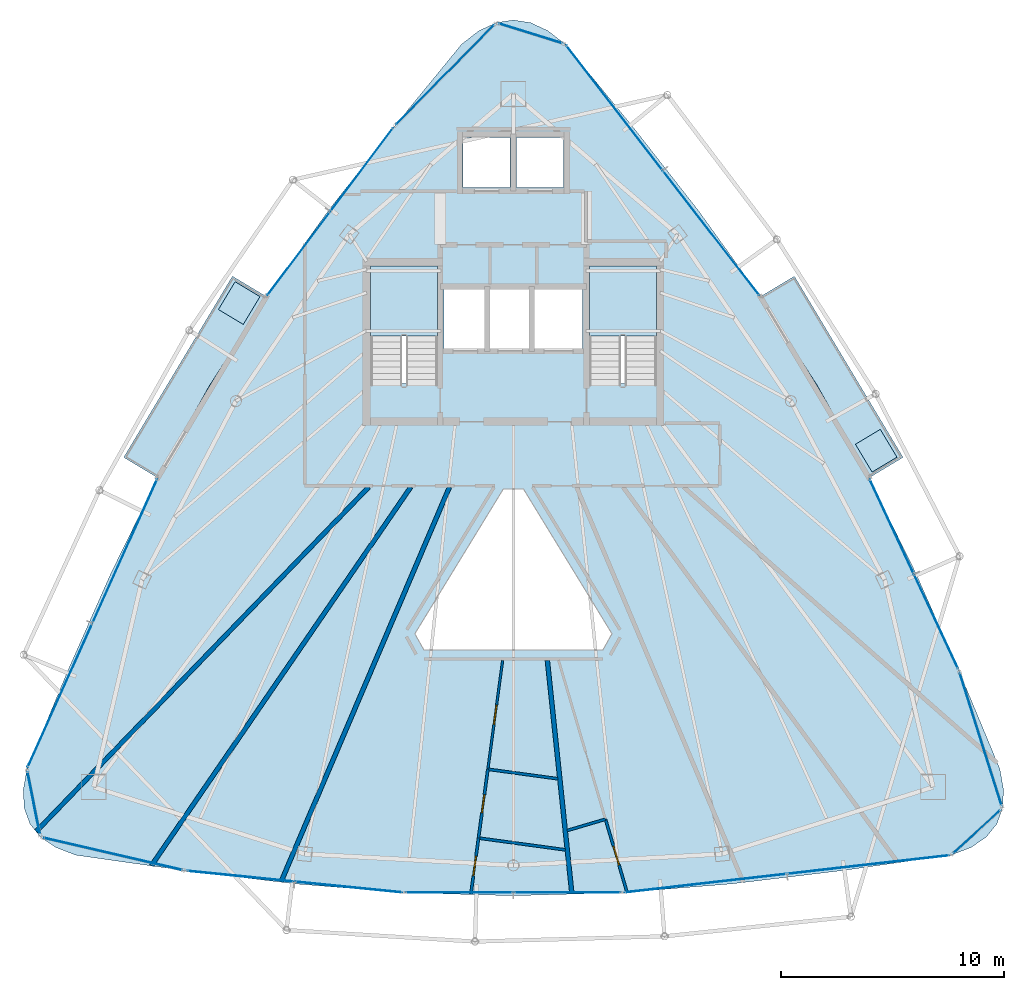
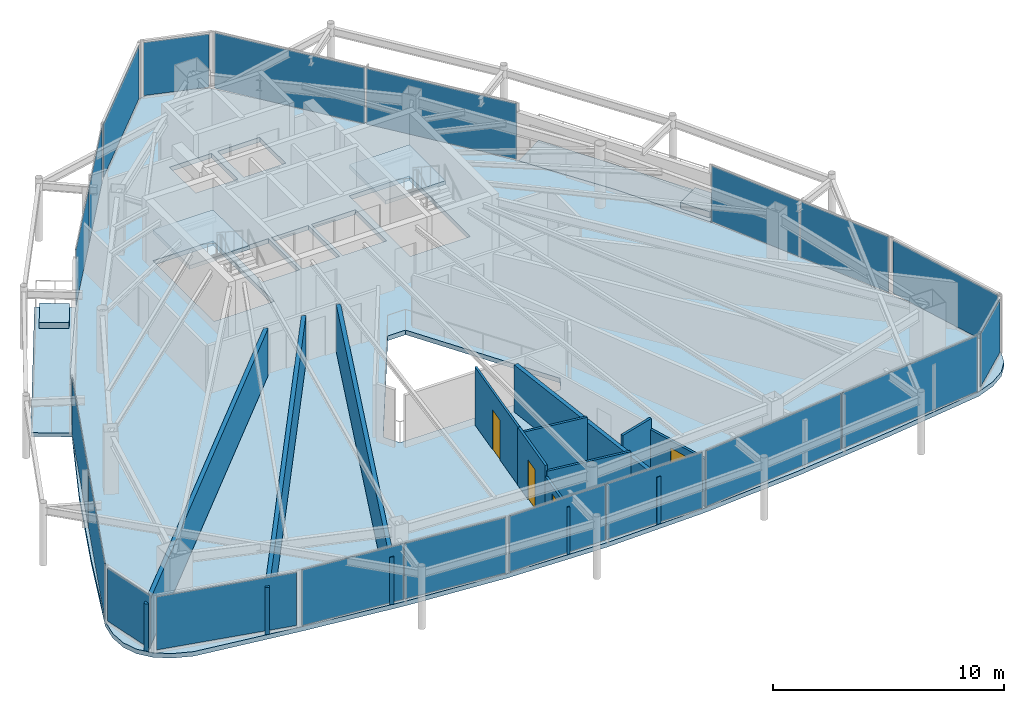
# One storey, part 24 of 28: 20 plates, 11 walls, 7 slabs, 4 doors, 4 openings, 15 elements without a shape of their own.
"""IFC4 building model written with IfcOpenShell, lengths in metres."""

import ifcopenshell
import ifcopenshell.guid

model = None  # the IFC model being written
_history = None  # IfcOwnerHistory: only IFC2X3 demands one
_inside = {}  # id of a spatial element -> (the spatial element, [elements in it])
_under = {}  # id of a project, library or spatial element -> (it, [spatial elements below it])
_declared = {}  # id of a project -> (the project, [libraries it declares])
_typed = {}  # id of a type object -> (the type object, [elements of that type])
_made_of = {}  # id of a material, layer set ... -> (it, [elements and type objects made of it])


def new_model(schema):
    """Start an empty IFC model of exactly this schema.

    Asked for "IFC4X3", IfcOpenShell would pick the latest addendum, in which some entities
    have other attributes; the version numbers below select the first issue.
    IFC2X3 requires an IfcOwnerHistory on every rooted entity: one is made here for all.
    """
    global model, _history
    if schema == "IFC4X3":
        model = ifcopenshell.file(schema_version=(4, 3, 0, 0))
    else:
        model = ifcopenshell.file(schema=schema)
    _inside.clear()
    _under.clear()
    _declared.clear()
    _typed.clear()
    _made_of.clear()
    _history = None
    if model.schema == "IFC2X3":
        org = make("IfcOrganization", Name="unknown")
        user = make(
            "IfcPersonAndOrganization",
            ThePerson=make("IfcPerson", FamilyName="unknown"),
            TheOrganization=org,
        )
        app = make(
            "IfcApplication",
            ApplicationDeveloper=org,
            Version="unknown",
            ApplicationFullName="unknown",
            ApplicationIdentifier="unknown",
        )
        _history = make(
            "IfcOwnerHistory",
            OwningUser=user,
            OwningApplication=app,
            ChangeAction="ADDED",
            CreationDate=0,
        )
    return model


def make(cls, **values):
    """One entity of the class cls with the attributes given. An attribute that is None is left unset."""
    return model.create_entity(
        cls, **{name: value for name, value in values.items() if value is not None}
    )


def rooted(cls, **values):
    """An entity with a GlobalId (a new one), such as an element, a storey or a relation."""
    return make(cls, GlobalId=ifcopenshell.guid.new(), OwnerHistory=_history, **values)


def si_unit(unit_type, name, prefix=None):
    """IfcSIUnit, for example si_unit("LENGTHUNIT", "METRE", prefix="MILLI")."""
    return make("IfcSIUnit", UnitType=unit_type, Prefix=prefix, Name=name)


def assignment(units):
    """IfcUnitAssignment: the units of a project."""
    return None if units is None else make("IfcUnitAssignment", Units=units)


def point(xyz):
    """IfcCartesianPoint."""
    return None if xyz is None else make("IfcCartesianPoint", Coordinates=xyz)


def direction(xyz):
    """IfcDirection."""
    return None if xyz is None else make("IfcDirection", DirectionRatios=xyz)


def frame(location, z_axis=None, x_axis=None):
    """IfcAxis2Placement3D, a coordinate frame: its origin and axes. An axis left out is left unset."""
    return make(
        "IfcAxis2Placement3D",
        Location=point(location),
        Axis=direction(z_axis),
        RefDirection=direction(x_axis),
    )


def frame_2d(location, x_axis=None):
    """IfcAxis2Placement2D, a coordinate frame in the plane: its origin and x axis."""
    return make(
        "IfcAxis2Placement2D", Location=point(location), RefDirection=direction(x_axis)
    )


def origin():
    """The frame at (0, 0, 0) with its axes left unset."""
    return frame((0.0, 0.0, 0.0))


def origin_2d():
    """The frame at (0, 0) in the plane with its x axis left unset."""
    return frame_2d((0.0, 0.0))


def place(relative_to, where):
    """IfcLocalPlacement: puts the frame where relative to a parent placement (None: the world)."""
    return make(
        "IfcLocalPlacement", PlacementRelTo=relative_to, RelativePlacement=where
    )


def context(
    kind, dimensions, precision=None, world=None, true_north=None, identifier=None
):
    """IfcGeometricRepresentationContext, for example the 3D "Model" context."""
    return make(
        "IfcGeometricRepresentationContext",
        ContextIdentifier=identifier,
        ContextType=kind,
        CoordinateSpaceDimension=dimensions,
        Precision=precision,
        WorldCoordinateSystem=world,
        TrueNorth=true_north,
    )


def subcontext(parent, identifier, kind, view, scale=None):
    """IfcGeometricRepresentationSubContext, for example "Body" below "Model"."""
    return make(
        "IfcGeometricRepresentationSubContext",
        ContextIdentifier=identifier,
        ContextType=kind,
        ParentContext=parent,
        TargetScale=scale,
        TargetView=view,
    )


def project(units=None, contexts=None):
    """IfcProject with its units and contexts."""
    return rooted(
        "IfcProject",
        Name="project",
        RepresentationContexts=contexts,
        UnitsInContext=assignment(units),
    )


def spatial(cls, under=None, at=None, **own):
    """A site, building, storey or space (cls), placed at a placement, below another one or the project."""
    s = rooted(cls, ObjectPlacement=at, **own)
    if under is not None:
        _under.setdefault(under.id(), (under, []))[1].append(s)
    return s


def polyline(points):
    """IfcPolyline through the points."""
    return make("IfcPolyline", Points=[point(p) for p in points])


def profile(cls, at=None, kind="AREA", **sizes):
    """A parametric profile (cls). Its sizes go by their IFC names, for example OverallWidth=200.0."""
    return make(cls, ProfileType=kind, Position=at, **sizes)


def rectangle(**sizes):
    """IfcRectangleProfileDef."""
    return profile("IfcRectangleProfileDef", **sizes)


def outline(outer, holes=None, kind="AREA"):
    """IfcArbitraryClosedProfileDef: a profile drawn as a closed curve; with holes, ...WithVoids."""
    if holes is None:
        return make("IfcArbitraryClosedProfileDef", ProfileType=kind, OuterCurve=outer)
    return make(
        "IfcArbitraryProfileDefWithVoids",
        ProfileType=kind,
        OuterCurve=outer,
        InnerCurves=holes,
    )


def extrude(swept, where, along, depth):
    """IfcExtrudedAreaSolid: the profile swept, set in the frame where, extruded along a direction by depth."""
    return make(
        "IfcExtrudedAreaSolid",
        SweptArea=swept,
        Position=where,
        ExtrudedDirection=direction(along),
        Depth=depth,
    )


def shape(context_of_items, identifier, shape_type, items):
    """IfcShapeRepresentation: the items that make up one representation, for example the "Body"."""
    return make(
        "IfcShapeRepresentation",
        ContextOfItems=context_of_items,
        RepresentationIdentifier=identifier,
        RepresentationType=shape_type,
        Items=items,
    )


def material(Name=None, Category=None):
    """IfcMaterial."""
    return make("IfcMaterial", Name=Name, Category=Category)


def layer(
    of_material, thickness, ventilated=None, Name=None, Category=None, Priority=None
):
    """IfcMaterialLayer: one layer of a wall or slab, of a material (None: an air gap)."""
    return make(
        "IfcMaterialLayer",
        Material=of_material,
        LayerThickness=thickness,
        IsVentilated=ventilated,
        Name=Name,
        Category=Category,
        Priority=Priority,
    )


def layer_set(layers, Name=None):
    """IfcMaterialLayerSet."""
    return make("IfcMaterialLayerSet", MaterialLayers=layers, LayerSetName=Name)


def made_of(thing, what):
    """Note that an element or type object is made of a material, layer set ...; save() writes the relation."""
    if what is not None:
        _made_of.setdefault(what.id(), (what, []))[1].append(thing)
    return thing


def type_object(cls, material=None, **own):
    """A type object (cls), such as IfcWallType, which elements share."""
    return made_of(rooted(cls, **own), material)


def element(
    cls,
    number,
    at=None,
    inside=None,
    cuts=None,
    type_object=None,
    material=None,
    context=None,
    identifier="Body",
    shape_type=None,
    held_by="IfcProductDefinitionShape",
    body=None,
    shapes=None,
    **own,
):
    """One element of the class cls, such as IfcWall. Its Tag is "e" and its number.

    at: its placement. inside: the storey or other place that contains it. cuts: it is an
    opening in that element (IfcRelVoidsElement). A single representation is given by context,
    identifier, shape_type and body (its items); several are given by shapes. held_by: the class
    of the entity that holds the representations. save() writes the other relations.
    """
    e = rooted(cls, Tag="e%d" % number, ObjectPlacement=at, **own)
    if body is not None:
        shapes = [shape(context, identifier, shape_type, body)]
    if shapes is not None:
        e.Representation = make(held_by, Representations=shapes)
    if inside is not None:
        _inside.setdefault(inside.id(), (inside, []))[1].append(e)
    if cuts is not None:
        rooted(
            "IfcRelVoidsElement", RelatingBuildingElement=cuts, RelatedOpeningElement=e
        )
    if type_object is not None:
        _typed.setdefault(type_object.id(), (type_object, []))[1].append(e)
    return made_of(e, material)


def fill(opening, filler):
    """IfcRelFillsElement: the door or window that sits in an opening."""
    return rooted(
        "IfcRelFillsElement",
        RelatingOpeningElement=opening,
        RelatedBuildingElement=filler,
    )


def aggregate(whole, parts):
    """IfcRelAggregates: a whole, such as a stair, and the parts it consists of."""
    return rooted("IfcRelAggregates", RelatingObject=whole, RelatedObjects=parts)


def save(model, path):
    """Write the relations noted so far, then the file.

    IfcRelAggregates (storeys below a building ...), IfcRelContainedInSpatialStructure (elements
    in a storey), IfcRelDefinesByType, IfcRelAssociatesMaterial and IfcRelDeclares: one each for
    every whole, place, type object, material and project.
    """
    for whole, parts in _under.values():
        aggregate(whole, parts)
    for where, things in _inside.values():
        rooted(
            "IfcRelContainedInSpatialStructure",
            RelatedElements=things,
            RelatingStructure=where,
        )
    for kind, things in _typed.values():
        rooted("IfcRelDefinesByType", RelatedObjects=things, RelatingType=kind)
    for what, things in _made_of.values():
        rooted("IfcRelAssociatesMaterial", RelatedObjects=things, RelatingMaterial=what)
    for by, libraries in _declared.values():
        rooted("IfcRelDeclares", RelatingContext=by, RelatedDefinitions=libraries)
    model.write(path)


model = new_model("IFC4")

# Units and contexts
model_context = context("Model", 3, precision=1e-05, world=origin(), true_north=direction((0.0, 1.0)))
body_context = subcontext(model_context, "Body", "Model", "MODEL_VIEW")
ifc_project = project(units=[si_unit("LENGTHUNIT", "METRE"), si_unit("AREAUNIT", "SQUARE_METRE"), si_unit("VOLUMEUNIT", "CUBIC_METRE"), si_unit("PLANEANGLEUNIT", "RADIAN"), si_unit("MASSUNIT", "GRAM", prefix="KILO")], contexts=[model_context])

# Site, building, storey
site_placement = place(None, origin())
site = spatial("IfcSite", under=ifc_project, at=site_placement, CompositionType="ELEMENT")
building_placement = place(site_placement, origin())
building = spatial("IfcBuilding", under=site, at=building_placement, Name="Orvanel Arch Residences", CompositionType="ELEMENT")
storey_placement = place(building_placement, frame((0.0, 0.0, 263.449951171875)))
storey = spatial("IfcBuildingStorey", under=building, at=storey_placement, Name="L75", CompositionType="ELEMENT", Elevation=263.449951171875)

# Curtain wall, plates
ifc_material_1 = material(Name="Bronze-anodised aluminium AA6063-T6", Category="aluminium")
ifc_layer_1 = layer(ifc_material_1, 0.175048828125)
ifc_layer_set_1 = layer_set([ifc_layer_1], Name="Bronze-anodised aluminium AA6063-T6")
curtain_wall_type_1 = type_object("IfcCurtainWallType", Name="CW4-HI-SYS", PredefinedType="NOTDEFINED", material=ifc_layer_set_1)
curtain_wall_1_placement = place(storey_placement, origin())
curtain_wall_1 = element("IfcCurtainWall", 1, at=curtain_wall_1_placement, inside=storey, type_object=curtain_wall_type_1, Name="L75 CW4-HI-SYS Unitised Curtain Wall", PredefinedType="NOTDEFINED")
ifc_material_2 = material(Name="Double-glazed solar-control low-E safety glass", Category="glass")
ifc_layer_2 = layer(ifc_material_2, 0.028076171875)
ifc_layer_set_2 = layer_set([ifc_layer_2], Name="Double-glazed solar-control low-E safety glass")
plate_type_1 = type_object("IfcPlateType", Name="PNL-GLZ-28", PredefinedType="CURTAIN_PANEL", material=ifc_layer_set_2)
plate_1_placement = place(storey_placement, frame((26.206298828125, 38.007568359375, 0.06005859375), z_axis=(0.0, 0.0, 1.0), x_axis=(-0.60030390804, -0.799771978749, 0.0)))
plate_1 = element("IfcPlate", 2, at=plate_1_placement, type_object=plate_type_1, Name="CW-S4 panel 1.1", PredefinedType="CURTAIN_PANEL", context=body_context, shape_type="SweptSolid", body=[
    extrude(rectangle(XDim=4.64013671875, YDim=0.028076171875, at=origin_2d()), origin(), (0.0, 0.0, 1.0), 2.93994140625),
])
plate_2_placement = place(storey_placement, frame((23.3818359375, 34.244384765625, 0.06005859375), z_axis=(0.0, 0.0, 1.0), x_axis=(-0.60030390804, -0.799771978749, 0.0)))
plate_2 = element("IfcPlate", 3, at=plate_2_placement, type_object=plate_type_1, Name="CW-S4 panel 2.1", PredefinedType="CURTAIN_PANEL", context=body_context, shape_type="SweptSolid", body=[
    extrude(rectangle(XDim=4.64013671875, YDim=0.028076171875, at=origin_2d()), origin(), (0.0, 0.0, 1.0), 2.93994140625),
])
aggregate(curtain_wall_1, [plate_1, plate_2])

curtain_wall_2_placement = place(storey_placement, origin())
curtain_wall_2 = element("IfcCurtainWall", 4, at=curtain_wall_2_placement, inside=storey, type_object=curtain_wall_type_1, Name="L75 CW4-HI-SYS Unitised Curtain Wall", PredefinedType="NOTDEFINED")
plate_3_placement = place(storey_placement, frame((15.59375, 20.922607421875, 0.06005859375), z_axis=(0.0, 0.0, 1.0), x_axis=(-0.410078819456, -0.912050087349, 0.0)))
plate_3 = element("IfcPlate", 5, at=plate_3_placement, type_object=plate_type_1, Name="CW-S4 panel 1.1", PredefinedType="CURTAIN_PANEL", context=body_context, shape_type="SweptSolid", body=[
    extrude(rectangle(XDim=7.030517578125, YDim=0.028076171875, at=origin_2d()), origin(), (0.0, 0.0, 1.0), 2.93994140625),
])
plate_4_placement = place(storey_placement, frame((12.68408203125, 14.451416015625, 0.06005859375), z_axis=(0.0, 0.0, 1.0), x_axis=(-0.410078819456, -0.912050087349, 0.0)))
plate_4 = element("IfcPlate", 6, at=plate_4_placement, type_object=plate_type_1, Name="CW-S4 panel 2.1", PredefinedType="CURTAIN_PANEL", context=body_context, shape_type="SweptSolid", body=[
    extrude(rectangle(XDim=7.030517578125, YDim=0.028076171875, at=origin_2d()), origin(), (0.0, 0.0, 1.0), 2.93994140625),
])
aggregate(curtain_wall_2, [plate_3, plate_4])

curtain_wall_3_placement = place(storey_placement, origin())
curtain_wall_3 = element("IfcCurtainWall", 7, at=curtain_wall_3_placement, inside=storey, type_object=curtain_wall_type_1, Name="L75 CW4-HI-SYS Unitised Curtain Wall", PredefinedType="NOTDEFINED")
plate_5_placement = place(storey_placement, frame((20.7744140625, 6.356689453125, 0.06005859375), z_axis=(0.0, 0.0, 1.0), x_axis=(0.995007878099, -0.099796405352, 0.0)))
plate_5 = element("IfcPlate", 8, at=plate_5_placement, type_object=plate_type_1, Name="CW-S4 panel 1.1", PredefinedType="CURTAIN_PANEL", context=body_context, shape_type="SweptSolid", body=[
    extrude(rectangle(XDim=4.807373046875, YDim=0.028076171875, at=origin_2d()), origin(), (0.0, 0.0, 1.0), 2.93994140625),
])
plate_6_placement = place(storey_placement, frame((25.62255859375, 5.870361328125, 0.06005859375), z_axis=(0.0, 0.0, 1.0), x_axis=(0.995007878099, -0.099796405352, 0.0)))
plate_6 = element("IfcPlate", 9, at=plate_6_placement, type_object=plate_type_1, Name="CW-S4 panel 2.1", PredefinedType="CURTAIN_PANEL", context=body_context, shape_type="SweptSolid", body=[
    extrude(rectangle(XDim=4.807373046875, YDim=0.028076171875, at=origin_2d()), origin(), (0.0, 0.0, 1.0), 2.93994140625),
])
aggregate(curtain_wall_3, [plate_5, plate_6])

curtain_wall_4_placement = place(storey_placement, origin())
curtain_wall_4 = element("IfcCurtainWall", 10, at=curtain_wall_4_placement, inside=storey, type_object=curtain_wall_type_1, Name="L75 CW4-HI-SYS Unitised Curtain Wall", PredefinedType="NOTDEFINED")
plate_7_placement = place(storey_placement, frame((30.57568359375, 5.6220703125, 0.06005859375), z_axis=(0.0, 0.0, 1.0), x_axis=(1.0, 0.0, 0.0)))
plate_7 = element("IfcPlate", 11, at=plate_7_placement, type_object=plate_type_1, Name="CW-S4 panel 1.1", PredefinedType="CURTAIN_PANEL", context=body_context, shape_type="SweptSolid", body=[
    extrude(rectangle(XDim=4.783447265625, YDim=0.028076171875, at=origin_2d()), origin(), (0.0, 0.0, 1.0), 2.93994140625),
])
plate_8_placement = place(storey_placement, frame((35.42431640625, 5.6220703125, 0.06005859375), z_axis=(0.0, 0.0, 1.0), x_axis=(1.0, 0.0, 0.0)))
plate_8 = element("IfcPlate", 12, at=plate_8_placement, type_object=plate_type_1, Name="CW-S4 panel 2.1", PredefinedType="CURTAIN_PANEL", context=body_context, shape_type="SweptSolid", body=[
    extrude(rectangle(XDim=4.783447265625, YDim=0.028076171875, at=origin_2d()), origin(), (0.0, 0.0, 1.0), 2.93994140625),
])
aggregate(curtain_wall_4, [plate_7, plate_8])

curtain_wall_5_placement = place(storey_placement, origin())
curtain_wall_5 = element("IfcCurtainWall", 13, at=curtain_wall_5_placement, inside=storey, type_object=curtain_wall_type_1, Name="L75 CW4-HI-SYS Unitised Curtain Wall", PredefinedType="NOTDEFINED")
plate_9_placement = place(storey_placement, frame((41.602294921875, 6.044677734375, 0.06005859375), z_axis=(0.0, 0.0, 1.0), x_axis=(0.993536822126, 0.113510277415, 0.0)))
plate_9 = element("IfcPlate", 14, at=plate_9_placement, type_object=plate_type_1, Name="CW-S4 panel 1.1", PredefinedType="CURTAIN_PANEL", context=body_context, shape_type="SweptSolid", body=[
    extrude(rectangle(XDim=7.28076171875, YDim=0.028076171875, at=origin_2d()), origin(), (0.0, 0.0, 1.0), 2.93994140625),
])
plate_10_placement = place(storey_placement, frame((48.900634765625, 6.87841796875, 0.06005859375), z_axis=(0.0, 0.0, 1.0), x_axis=(0.993536822126, 0.113510277415, 0.0)))
plate_10 = element("IfcPlate", 15, at=plate_10_placement, type_object=plate_type_1, Name="CW-S4 panel 2.1", PredefinedType="CURTAIN_PANEL", context=body_context, shape_type="SweptSolid", body=[
    extrude(rectangle(XDim=7.28076171875, YDim=0.028076171875, at=origin_2d()), origin(), (0.0, 0.0, 1.0), 2.93994140625),
])
aggregate(curtain_wall_5, [plate_9, plate_10])

curtain_wall_6_placement = place(storey_placement, origin())
curtain_wall_6 = element("IfcCurtainWall", 16, at=curtain_wall_6_placement, inside=storey, type_object=curtain_wall_type_1, Name="L75 CW4-HI-SYS Unitised Curtain Wall", PredefinedType="NOTDEFINED")
plate_11_placement = place(storey_placement, frame((51.93798828125, 17.76318359375, 0.06005859375), z_axis=(0.0, 0.0, 1.0), x_axis=(-0.423076106083, 0.906094149888, 0.0)))
plate_11 = element("IfcPlate", 17, at=plate_11_placement, type_object=plate_type_1, Name="CW-S4 panel 1.1", PredefinedType="CURTAIN_PANEL", context=body_context, shape_type="SweptSolid", body=[
    extrude(rectangle(XDim=4.640380859375, YDim=0.028076171875, at=origin_2d()), origin(), (0.0, 0.0, 1.0), 2.93994140625),
])
plate_12_placement = place(storey_placement, frame((49.947021484375, 22.02685546875, 0.06005859375), z_axis=(0.0, 0.0, 1.0), x_axis=(-0.423076106083, 0.906094149888, 0.0)))
plate_12 = element("IfcPlate", 18, at=plate_12_placement, type_object=plate_type_1, Name="CW-S4 panel 2.1", PredefinedType="CURTAIN_PANEL", context=body_context, shape_type="SweptSolid", body=[
    extrude(rectangle(XDim=4.640380859375, YDim=0.028076171875, at=origin_2d()), origin(), (0.0, 0.0, 1.0), 2.93994140625),
])
aggregate(curtain_wall_6, [plate_11, plate_12])

curtain_wall_7_placement = place(storey_placement, origin())
curtain_wall_7 = element("IfcCurtainWall", 19, at=curtain_wall_7_placement, inside=storey, type_object=curtain_wall_type_1, Name="L75 CW4-HI-SYS Unitised Curtain Wall", PredefinedType="NOTDEFINED")
plate_13_placement = place(storey_placement, frame((41.860595703125, 35.16943359375, 0.06005859375), z_axis=(0.0, 0.0, 1.0), x_axis=(-0.611587251509, 0.791176992709, 0.0)))
plate_13 = element("IfcPlate", 20, at=plate_13_placement, type_object=plate_type_1, Name="CW-S4 panel 1.1", PredefinedType="CURTAIN_PANEL", context=body_context, shape_type="SweptSolid", body=[
    extrude(rectangle(XDim=7.02978515625, YDim=0.028076171875, at=origin_2d()), origin(), (0.0, 0.0, 1.0), 2.93994140625),
])
plate_14_placement = place(storey_placement, frame((37.521484375, 40.78271484375, 0.06005859375), z_axis=(0.0, 0.0, 1.0), x_axis=(-0.611587251509, 0.791176992709, 0.0)))
plate_14 = element("IfcPlate", 21, at=plate_14_placement, type_object=plate_type_1, Name="CW-S4 panel 2.1", PredefinedType="CURTAIN_PANEL", context=body_context, shape_type="SweptSolid", body=[
    extrude(rectangle(XDim=7.02978515625, YDim=0.028076171875, at=origin_2d()), origin(), (0.0, 0.0, 1.0), 2.93994140625),
])
aggregate(curtain_wall_7, [plate_13, plate_14])

# Curtain wall, plate
ifc_layer_3 = layer(ifc_material_1, 0.18994140625)
ifc_layer_set_3 = layer_set([ifc_layer_3], Name="Bronze-anodised aluminium AA6063-T6")
curtain_wall_type_2 = type_object("IfcCurtainWallType", Name="CW5-CRN-SYS", PredefinedType="NOTDEFINED", material=ifc_layer_set_3)
curtain_wall_8_placement = place(storey_placement, origin())
curtain_wall_8 = element("IfcCurtainWall", 22, at=curtain_wall_8_placement, inside=storey, type_object=curtain_wall_type_2, Name="L75 CW5-CRN-SYS Unitised Curtain Wall", PredefinedType="NOTDEFINED")
ifc_layer_4 = layer(ifc_material_2, 0.031982421875)
ifc_layer_set_4 = layer_set([ifc_layer_4], Name="Double-glazed solar-control low-E safety glass")
plate_type_2 = type_object("IfcPlateType", Name="PNL-GLZ-32", PredefinedType="CURTAIN_PANEL", material=ifc_layer_set_4)
plate_15_placement = place(storey_placement, frame((33.7734375, 44.112060546875, 0.1298828125), z_axis=(0.0, 0.0, 1.0), x_axis=(-0.95489617321, 0.296939890194, 0.0)))
plate_15 = element("IfcPlate", 23, at=plate_15_placement, type_object=plate_type_2, Name="CW-S5 panel 1.1", PredefinedType="CURTAIN_PANEL", context=body_context, shape_type="SweptSolid", body=[
    extrude(rectangle(XDim=2.8994140625, YDim=0.031982421875, at=origin_2d()), origin(), (0.0, 0.0, 1.0), 2.800048828125),
])
aggregate(curtain_wall_8, [plate_15])

curtain_wall_9_placement = place(storey_placement, origin())
curtain_wall_9 = element("IfcCurtainWall", 24, at=curtain_wall_9_placement, inside=storey, type_object=curtain_wall_type_2, Name="L75 CW5-CRN-SYS Unitised Curtain Wall", PredefinedType="NOTDEFINED")
plate_16_placement = place(storey_placement, frame((29.9384765625, 42.261962890625, 0.1298828125), z_axis=(0.0, 0.0, 1.0), x_axis=(-0.700531625722, -0.713621357138, 0.0)))
plate_16 = element("IfcPlate", 25, at=plate_16_placement, type_object=plate_type_2, Name="CW-S5 panel 1.1", PredefinedType="CURTAIN_PANEL", context=body_context, shape_type="SweptSolid", body=[
    extrude(rectangle(XDim=6.193603515625, YDim=0.031982421875, at=origin_2d()), origin(), (0.0, 0.0, 1.0), 2.800048828125),
])
aggregate(curtain_wall_9, [plate_16])

curtain_wall_10_placement = place(storey_placement, origin())
curtain_wall_10 = element("IfcCurtainWall", 26, at=curtain_wall_10_placement, inside=storey, type_object=curtain_wall_type_2, Name="L75 CW5-CRN-SYS Unitised Curtain Wall", PredefinedType="NOTDEFINED")
plate_17_placement = place(storey_placement, frame((11.512939453125, 9.638427734375, 0.1298828125), z_axis=(0.0, 0.0, 1.0), x_axis=(0.195553879253, -0.980692959243, 0.0)))
plate_17 = element("IfcPlate", 27, at=plate_17_placement, type_object=plate_type_2, Name="CW-S5 panel 1.1", PredefinedType="CURTAIN_PANEL", context=body_context, shape_type="SweptSolid", body=[
    extrude(rectangle(XDim=2.7783203125, YDim=0.031982421875, at=origin_2d()), origin(), (0.0, 0.0, 1.0), 2.800048828125),
])
aggregate(curtain_wall_10, [plate_17])

curtain_wall_11_placement = place(storey_placement, origin())
curtain_wall_11 = element("IfcCurtainWall", 28, at=curtain_wall_11_placement, inside=storey, type_object=curtain_wall_type_2, Name="L75 CW5-CRN-SYS Unitised Curtain Wall", PredefinedType="NOTDEFINED")
plate_18_placement = place(storey_placement, frame((15.05810546875, 7.35693359375, 0.1298828125), z_axis=(0.0, 0.0, 1.0), x_axis=(0.974145951661, -0.225919598226, 0.0)))
plate_18 = element("IfcPlate", 29, at=plate_18_placement, type_object=plate_type_2, Name="CW-S5 panel 1.1", PredefinedType="CURTAIN_PANEL", context=body_context, shape_type="SweptSolid", body=[
    extrude(rectangle(XDim=6.31298828125, YDim=0.031982421875, at=origin_2d()), origin(), (0.0, 0.0, 1.0), 2.800048828125),
])
aggregate(curtain_wall_11, [plate_18])

curtain_wall_12_placement = place(storey_placement, origin())
curtain_wall_12 = element("IfcCurtainWall", 30, at=curtain_wall_12_placement, inside=storey, type_object=curtain_wall_type_2, Name="L75 CW5-CRN-SYS Unitised Curtain Wall", PredefinedType="NOTDEFINED")
plate_19_placement = place(storey_placement, frame((53.757080078125, 8.349609375, 0.1298828125), z_axis=(0.0, 0.0, 1.0), x_axis=(0.740219127016, 0.672365707037, 0.0)))
plate_19 = element("IfcPlate", 31, at=plate_19_placement, type_object=plate_type_2, Name="CW-S5 panel 1.1", PredefinedType="CURTAIN_PANEL", context=body_context, shape_type="SweptSolid", body=[
    extrude(rectangle(XDim=2.7802734375, YDim=0.031982421875, at=origin_2d()), origin(), (0.0, 0.0, 1.0), 2.800048828125),
])
aggregate(curtain_wall_12, [plate_19])

curtain_wall_13_placement = place(storey_placement, origin())
curtain_wall_13 = element("IfcCurtainWall", 32, at=curtain_wall_13_placement, inside=storey, type_object=curtain_wall_type_2, Name="L75 CW5-CRN-SYS Unitised Curtain Wall", PredefinedType="NOTDEFINED")
plate_20_placement = place(storey_placement, frame((53.93359375, 12.490966796875, 0.1298828125), z_axis=(0.0, 0.0, 1.0), x_axis=(-0.30162859532, 0.953425503375, 0.0)))
plate_20 = element("IfcPlate", 33, at=plate_20_placement, type_object=plate_type_2, Name="CW-S5 panel 1.1", PredefinedType="CURTAIN_PANEL", context=body_context, shape_type="SweptSolid", body=[
    extrude(rectangle(XDim=6.1484375, YDim=0.031982421875, at=origin_2d()), origin(), (0.0, 0.0, 1.0), 2.800048828125),
])
aggregate(curtain_wall_13, [plate_20])

# Slabs
ifc_material_3 = material(Name="Concrete N40 (40 MPa)", Category="concrete")
ifc_layer_5 = layer(ifc_material_3, 0.199951171875)
ifc_layer_set_5 = layer_set([ifc_layer_5], Name="Concrete N40 (40 MPa)")
slab_type_1 = type_object("IfcSlabType", Name="SLB-BAL-200", PredefinedType="FLOOR", material=ifc_layer_set_5)
slab_1_placement = place(storey_placement, frame((0.0, 0.0, -0.199951171875)))
element("IfcSlab", 34, at=slab_1_placement, inside=storey, type_object=slab_type_1, Name="L75 Cantilevered Balcony Slab Face 3", PredefinedType="FLOOR", context=body_context, shape_type="SweptSolid", body=[
    extrude(outline(polyline([(50.45703125, 25.12109375), (45.587890625, 33.237060546875), (44.06201171875, 32.321044921875), (46.614990234375, 28.333984375), (48.929931640625, 24.2060546875), (50.45703125, 25.12109375)])), origin(), (0.0, 0.0, 1.0), 0.199951171875),
])
slab_2_placement = place(storey_placement, frame((0.0, 0.0, -0.199951171875)))
element("IfcSlab", 35, at=slab_2_placement, inside=storey, type_object=slab_type_1, Name="L75 Cantilevered Balcony Slab Face 1", PredefinedType="FLOOR", context=body_context, shape_type="SweptSolid", body=[
    extrude(outline(polyline([(20.412109375, 33.237060546875), (15.54296875, 25.12109375), (17.070068359375, 24.2060546875), (19.385009765625, 28.333984375), (21.93798828125, 32.321044921875), (20.412109375, 33.237060546875)])), origin(), (0.0, 0.0, 1.0), 0.199951171875),
])

# Stair, slab
ifc_material_4 = material(Name="Precast concrete N50 (50 MPa)", Category="concrete")
stair_type = type_object("IfcStairType", Name="STR-DOG-184", PredefinedType="USERDEFINED", material=ifc_material_4)
stair_1_placement = place(storey_placement, origin())
stair_1 = element("IfcStair", 36, at=stair_1_placement, inside=storey, type_object=stair_type, Name="L75 Fire-Isolated Core Exit Stair 1", ObjectType="TWO_RETURN_STAIR", PredefinedType="USERDEFINED")
ifc_layer_6 = layer(ifc_material_3, 0.199951171875)
ifc_layer_set_6 = layer_set([ifc_layer_6], Name="Concrete N40 (40 MPa)")
slab_type_2 = type_object("IfcSlabType", Name="SLB-LND-200", PredefinedType="LANDING", material=ifc_layer_set_6)
slab_3_placement = place(storey_placement, frame((0.0, 0.0, 1.449951171875)))
slab_3 = element("IfcSlab", 37, at=slab_3_placement, type_object=slab_type_2, Name="ST-1 landing 1", PredefinedType="LANDING", context=body_context, shape_type="SweptSolid", body=[
    extrude(outline(polyline([(29.60009765625, 30.56005859375), (29.60009765625, 33.699951171875), (26.60009765625, 33.699951171875), (26.60009765625, 30.56005859375), (29.60009765625, 30.56005859375)])), origin(), (0.0, 0.0, 1.0), 0.2001953125),
])
aggregate(stair_1, [slab_3])

stair_2_placement = place(storey_placement, origin())
stair_2 = element("IfcStair", 38, at=stair_2_placement, inside=storey, type_object=stair_type, Name="L75 Fire-Isolated Core Exit Stair 2", ObjectType="TWO_RETURN_STAIR", PredefinedType="USERDEFINED")
slab_4_placement = place(storey_placement, frame((0.0, 0.0, 1.449951171875)))
slab_4 = element("IfcSlab", 39, at=slab_4_placement, type_object=slab_type_2, Name="ST-2 landing 1", PredefinedType="LANDING", context=body_context, shape_type="SweptSolid", body=[
    extrude(outline(polyline([(39.39990234375, 30.56005859375), (39.39990234375, 33.699951171875), (36.39990234375, 33.699951171875), (36.39990234375, 30.56005859375), (39.39990234375, 30.56005859375)])), origin(), (0.0, 0.0, 1.0), 0.2001953125),
])
aggregate(stair_2, [slab_4])

# Slabs
ifc_material_5 = material(Name="Structural architectural precast concrete N40 (40 MPa) planter", Category="concrete")
ifc_layer_7 = layer(ifc_material_5, 0.320068359375)
ifc_layer_set_7 = layer_set([ifc_layer_7], Name="Structural architectural precast concrete N40 (40 MPa) planter")
slab_type_3 = type_object("IfcSlabType", Name="SLB-PLN-320", PredefinedType="USERDEFINED", material=ifc_layer_set_7)
slab_5_placement = place(storey_placement, origin())
element("IfcSlab", 40, at=slab_5_placement, inside=storey, type_object=slab_type_3, Name="L75 Balcony TREE PLANTER Face 3", ObjectType="PLANTER", PredefinedType="USERDEFINED", context=body_context, shape_type="SweptSolid", body=[
    extrude(outline(polyline([(50.181884765625, 25.131103515625), (49.43603515625, 26.375), (48.321044921875, 25.7060546875), (49.06689453125, 24.462890625), (50.181884765625, 25.131103515625)])), origin(), (0.0, 0.0, 1.0), 0.320068359375),
])
slab_6_placement = place(storey_placement, origin())
element("IfcSlab", 41, at=slab_6_placement, inside=storey, type_object=slab_type_3, Name="L75 Balcony TREE PLANTER Face 1", ObjectType="PLANTER", PredefinedType="USERDEFINED", context=body_context, shape_type="SweptSolid", body=[
    extrude(outline(polyline([(20.531982421875, 32.989990234375), (19.785888671875, 31.74609375), (20.90087890625, 31.077880859375), (21.64599609375, 32.321044921875), (20.531982421875, 32.989990234375)])), origin(), (0.0, 0.0, 1.0), 0.320068359375),
])
ifc_layer_8 = layer(ifc_material_3, 0.239990234375)
ifc_layer_set_8 = layer_set([ifc_layer_8], Name="Concrete N40 (40 MPa)")
slab_type_4 = type_object("IfcSlabType", Name="SLB-TYP-240", PredefinedType="FLOOR", material=ifc_layer_set_8)
slab_7_placement = place(storey_placement, frame((0.0, 0.0, -0.239990234375)))
element("IfcSlab", 42, at=slab_7_placement, inside=storey, type_object=slab_type_4, Name="L75 Tower Floor Slab", PredefinedType="FLOOR", context=body_context, shape_type="SweptSolid", body=[
    extrude(outline(polyline([(35.320068359375, 43.631103515625), (34.547119140625, 44.23193359375), (33.77294921875, 44.593017578125), (33.0, 44.714111328125), (32.22705078125, 44.593017578125), (31.452880859375, 44.23193359375), (30.679931640625, 43.631103515625), (27.64990234375, 39.930908203125), (24.7099609375, 36.176025390625), (21.93798828125, 32.321044921875), (19.385009765625, 28.333984375), (17.070068359375, 24.2060546875), (14.97412109375, 19.945068359375), (13.044921875, 15.583984375), (11.2080078125, 11.16796875), (11.041015625, 10.222900390625), (11.087890625, 9.39794921875), (11.346923828125, 8.693115234375), (11.818115234375, 8.10888671875), (12.501953125, 7.64501953125), (13.39794921875, 7.301025390625), (18.298095703125, 6.60498046875), (23.198974609375, 6.01611328125), (28.09912109375, 5.6220703125), (33.0, 5.48291015625), (37.90087890625, 5.6220703125), (42.801025390625, 6.01611328125), (47.701904296875, 6.60498046875), (52.60205078125, 7.301025390625), (53.498046875, 7.64501953125), (54.181884765625, 8.10888671875), (54.654052734375, 8.693115234375), (54.912109375, 9.39794921875), (54.958984375, 10.222900390625), (54.7919921875, 11.16796875), (52.955078125, 15.583984375), (51.02587890625, 19.945068359375), (48.929931640625, 24.2060546875), (46.614990234375, 28.333984375), (44.06201171875, 32.321044921875), (41.2900390625, 36.176025390625), (38.35009765625, 39.930908203125), (35.320068359375, 43.631103515625)]), holes=[polyline([(26.60009765625, 28.429931640625), (26.60009765625, 33.699951171875), (29.60009765625, 33.699951171875), (29.60009765625, 28.429931640625), (26.60009765625, 28.429931640625)]), polyline([(36.39990234375, 28.429931640625), (36.39990234375, 33.699951171875), (39.39990234375, 33.699951171875), (39.39990234375, 28.429931640625), (36.39990234375, 28.429931640625)]), polyline([(29.89990234375, 32.64990234375), (31.75, 32.64990234375), (31.75, 29.949951171875), (29.89990234375, 29.949951171875), (29.89990234375, 32.64990234375)]), polyline([(31.89990234375, 32.64990234375), (33.75, 32.64990234375), (33.75, 29.949951171875), (31.89990234375, 29.949951171875), (31.89990234375, 32.64990234375)]), polyline([(33.89990234375, 32.64990234375), (36.10009765625, 32.64990234375), (36.10009765625, 29.949951171875), (33.89990234375, 29.949951171875), (33.89990234375, 32.64990234375)]), polyline([(30.75, 39.449951171875), (32.85009765625, 39.449951171875), (32.85009765625, 37.199951171875), (30.75, 37.199951171875), (30.75, 39.449951171875)]), polyline([(33.14990234375, 39.449951171875), (35.25, 39.449951171875), (35.25, 37.199951171875), (33.14990234375, 37.199951171875), (33.14990234375, 39.449951171875)]), polyline([(37.416015625, 17.219970703125), (37.006103515625, 16.488037109375), (28.993896484375, 16.488037109375), (28.583984375, 17.219970703125), (32.552978515625, 23.7119140625), (33.447021484375, 23.7119140625), (37.416015625, 17.219970703125)])]), origin(), (0.0, 0.0, 1.0), 0.239990234375),
])

# Walls
ifc_material_6 = material(Name="Fire-rated plasterboard lined steel stud partition", Category="steel")
ifc_layer_9 = layer(ifc_material_6, 0.199951171875)
ifc_layer_set_9 = layer_set([ifc_layer_9], Name="Fire-rated plasterboard lined steel stud partition")
wall_type_1 = type_object("IfcWallType", Name="W-DEM-200", PredefinedType="PARTITIONING", material=ifc_layer_set_9)
wall_1_placement = place(storey_placement, frame((26.52001953125, 23.7900390625, 0.0), z_axis=(0.0, 0.0, 1.0), x_axis=(-0.694637190704, -0.719360252788, 0.0)))
element("IfcWall", 43, at=wall_1_placement, inside=storey, type_object=wall_type_1, Name="L75 Inter-Tenancy Acoustic Demising Wall", PredefinedType="PARTITIONING", context=body_context, shape_type="SweptSolid", body=[
    extrude(rectangle(XDim=21.438720703125, YDim=0.199951171875, at=frame_2d((10.71923828125, 0.0))), origin(), (0.0, 0.0, 1.0), 2.491943359375),
])
wall_2_placement = place(storey_placement, frame((34.52099609375, 16.028076171875, 0.0), z_axis=(0.0, 0.0, 1.0), x_axis=(0.104542147599, -0.994520456992, 0.0)))
element("IfcWall", 44, at=wall_2_placement, inside=storey, type_object=wall_type_1, Name="L75 Inter-Tenancy Acoustic Demising Wall", PredefinedType="PARTITIONING", context=body_context, shape_type="SweptSolid", body=[
    extrude(rectangle(XDim=10.513671875, YDim=0.199951171875, at=frame_2d((5.2568359375, 0.0))), origin(), (0.0, 0.0, 1.0), 2.491943359375),
])
wall_3_placement = place(storey_placement, frame((22.589111328125, 6.10400390625, 0.0), z_axis=(0.0, 0.0, 1.0), x_axis=(0.392518309842, 0.919744190761, 0.0)))
element("IfcWall", 45, at=wall_3_placement, inside=storey, type_object=wall_type_1, Name="L75 Inter-Tenancy Acoustic Demising Wall", PredefinedType="PARTITIONING", context=body_context, shape_type="SweptSolid", body=[
    extrude(rectangle(XDim=19.229248046875, YDim=0.199951171875, at=frame_2d((9.61474609375, 0.0))), origin(), (0.0, 0.0, 1.0), 2.491943359375),
])
wall_4_placement = place(storey_placement, frame((16.783935546875, 6.833984375, 0.0), z_axis=(0.0, 0.0, 1.0), x_axis=(0.565235631435, 0.824929500598, 0.0)))
element("IfcWall", 46, at=wall_4_placement, inside=storey, type_object=wall_type_1, Name="L75 Inter-Tenancy Acoustic Demising Wall", PredefinedType="PARTITIONING", context=body_context, shape_type="SweptSolid", body=[
    extrude(rectangle(XDim=20.554443359375, YDim=0.199951171875, at=frame_2d((10.27734375, 0.0))), origin(), (0.0, 0.0, 1.0), 2.491943359375),
])

# Wall, opening, door
ifc_material_7 = material(Name="Acoustic plasterboard lined twin-stud partition", Category="gypsum")
ifc_layer_10 = layer(ifc_material_7, 0.10009765625)
ifc_layer_set_10 = layer_set([ifc_layer_10], Name="Acoustic plasterboard lined twin-stud partition")
wall_type_2 = type_object("IfcWallType", Name="W-INT-100", PredefinedType="PARTITIONING", material=ifc_layer_set_10)
wall_5_placement = place(storey_placement, frame((32.51904296875, 16.028076171875, 0.0), z_axis=(0.0, 0.0, 1.0), x_axis=(-0.134690507908, -0.990887716686, 0.0)))
wall_5 = element("IfcWall", 47, at=wall_5_placement, inside=storey, type_object=wall_type_2, Name="L75 Studio A Internal Partition", PredefinedType="PARTITIONING", context=body_context, shape_type="SweptSolid", body=[
    extrude(rectangle(XDim=4.923095703125, YDim=0.10009765625, at=frame_2d((2.46142578125, 0.0))), origin(), (0.0, 0.0, 1.0), 3.06005859375),
])
opening_1_placement = place(wall_5_placement, frame((2.02099609375, 0.0, 0.0)))
opening_1 = element("IfcOpeningElement", 48, at=opening_1_placement, cuts=wall_5, Name="Opening DI-088", PredefinedType="OPENING", context=body_context, shape_type="SweptSolid", body=[
    extrude(rectangle(XDim=0.8798828125, YDim=2.10009765625, at=frame_2d((0.43994140625, 1.050048828125))), frame((0.0, 0.06005859375, 0.0), z_axis=(0.0, -1.0, 0.0), x_axis=(1.0, 0.0, 0.0)), (0.0, 0.0, 1.0), 0.1201171875),
])
ifc_material_8 = material(Name="Solid-core European oak veneer fire door leaf", Category="wood")
door_type_1 = type_object("IfcDoorType", Name="DR-INT-880", OperationType="NOTDEFINED", PredefinedType="DOOR", material=ifc_material_8)
door_1_placement = place(opening_1_placement, origin())
door_1 = element("IfcDoor", 49, at=door_1_placement, inside=storey, type_object=door_type_1, Name="DR-L75-A-CAR1 L75 Studio A Allied Health Consulting Room 1 Door", OperationType="SINGLE_SWING_LEFT", OverallHeight=2.10009765625, OverallWidth=0.8798828125, PredefinedType="DOOR", context=body_context, shape_type="SweptSolid", body=[
    extrude(rectangle(XDim=0.8798828125, YDim=2.10009765625, at=frame_2d((0.43994140625, 1.050048828125))), frame((0.0, 0.02490234375, 0.0), z_axis=(0.0, -1.0, 0.0), x_axis=(1.0, 0.0, 0.0)), (0.0, 0.0, 1.0), 0.050048828125),
])
fill(opening_1, door_1)

ifc_layer_11 = layer(ifc_material_7, 0.1201171875)
ifc_layer_set_11 = layer_set([ifc_layer_11], Name="Acoustic plasterboard lined twin-stud partition")
wall_type_3 = type_object("IfcWallType", Name="W-WET-120", PredefinedType="PARTITIONING", material=ifc_layer_set_11)
wall_6_placement = place(storey_placement, frame((31.85595703125, 11.14990234375, 0.0), z_axis=(0.0, 0.0, 1.0), x_axis=(-0.134650977284, -0.990893089246, 0.0)))
wall_6 = element("IfcWall", 50, at=wall_6_placement, inside=storey, type_object=wall_type_3, Name="L75 Studio A Bathroom Partition", PredefinedType="PARTITIONING", context=body_context, shape_type="SweptSolid", body=[
    extrude(rectangle(XDim=3.111328125, YDim=0.1201171875, at=frame_2d((1.5556640625, 0.0))), origin(), (0.0, 0.0, 1.0), 3.06005859375),
])
opening_2_placement = place(wall_6_placement, frame((1.14599609375, 0.0, 0.0)))
opening_2 = element("IfcOpeningElement", 51, at=opening_2_placement, cuts=wall_6, Name="Opening DW-082", PredefinedType="OPENING", context=body_context, shape_type="SweptSolid", body=[
    extrude(rectangle(XDim=0.820068359375, YDim=2.10009765625, at=frame_2d((0.41015625, 1.050048828125))), frame((0.0, 0.070068359375, 0.0), z_axis=(0.0, -1.0, 0.0), x_axis=(1.0, 0.0, 0.0)), (0.0, 0.0, 1.0), 0.14013671875),
])
door_type_2 = type_object("IfcDoorType", Name="DR-WET-820", OperationType="NOTDEFINED", PredefinedType="DOOR", material=ifc_material_8)
door_2_placement = place(opening_2_placement, origin())
door_2 = element("IfcDoor", 52, at=door_2_placement, inside=storey, type_object=door_type_2, Name="DR-L75-A-BATH L75 Studio A Bathroom Door", OperationType="SINGLE_SWING_RIGHT", OverallHeight=2.10009765625, OverallWidth=0.820068359375, PredefinedType="DOOR", context=body_context, shape_type="SweptSolid", body=[
    extrude(rectangle(XDim=0.820068359375, YDim=2.10009765625, at=frame_2d((0.41015625, 1.050048828125))), frame((0.0, 0.02490234375, 0.0), z_axis=(0.0, -1.0, 0.0), x_axis=(1.0, 0.0, 0.0)), (0.0, 0.0, 1.0), 0.050048828125),
])
fill(opening_2, door_2)

wall_7_placement = place(storey_placement, frame((31.43701171875, 8.06689453125, 0.0), z_axis=(0.0, 0.0, 1.0), x_axis=(-0.134765499074, -0.990877520312, 0.0)))
wall_7 = element("IfcWall", 53, at=wall_7_placement, inside=storey, type_object=wall_type_3, Name="L75 Studio A Internal Partition", PredefinedType="PARTITIONING", context=body_context, shape_type="SweptSolid", body=[
    extrude(rectangle(XDim=2.5380859375, YDim=0.1201171875, at=frame_2d((1.26904296875, 0.0))), origin(), (0.0, 0.0, 1.0), 2.491943359375),
])
opening_3_placement = place(wall_7_placement, frame((0.8291015625, 0.0, 0.0)))
opening_3 = element("IfcOpeningElement", 54, at=opening_3_placement, cuts=wall_7, Name="Opening DI-088", PredefinedType="OPENING", context=body_context, shape_type="SweptSolid", body=[
    extrude(rectangle(XDim=0.8798828125, YDim=2.10009765625, at=frame_2d((0.43994140625, 1.050048828125))), frame((0.0, 0.070068359375, 0.0), z_axis=(0.0, -1.0, 0.0), x_axis=(1.0, 0.0, 0.0)), (0.0, 0.0, 1.0), 0.14013671875),
])
door_3_placement = place(opening_3_placement, origin())
door_3 = element("IfcDoor", 55, at=door_3_placement, inside=storey, type_object=door_type_1, Name="DR-L75-A-KIT L75 Studio A Kitchenette Door", OperationType="SINGLE_SWING_LEFT", OverallHeight=2.10009765625, OverallWidth=0.8798828125, PredefinedType="DOOR", context=body_context, shape_type="SweptSolid", body=[
    extrude(rectangle(XDim=0.8798828125, YDim=2.10009765625, at=frame_2d((0.43994140625, 1.050048828125))), frame((0.0, 0.02490234375, 0.0), z_axis=(0.0, -1.0, 0.0), x_axis=(1.0, 0.0, 0.0)), (0.0, 0.0, 1.0), 0.050048828125),
])
fill(opening_3, door_3)

# Walls
wall_8_placement = place(storey_placement, frame((35.327880859375, 7.5380859375, 0.0), z_axis=(0.0, 0.0, 1.0), x_axis=(-0.990890227425, 0.134672035678, 0.0)))
element("IfcWall", 56, at=wall_8_placement, inside=storey, type_object=wall_type_3, Name="L75 Studio A Bathroom Partition", PredefinedType="PARTITIONING", context=body_context, shape_type="SweptSolid", body=[
    extrude(rectangle(XDim=3.9267578125, YDim=0.1201171875, at=frame_2d((1.96337890625, 0.0))), origin(), (0.0, 0.0, 1.0), 2.77294921875),
])
wall_9_placement = place(storey_placement, frame((31.85595703125, 11.14990234375, 0.0), z_axis=(0.0, 0.0, 1.0), x_axis=(0.990862518896, -0.13487575263, 0.0)))
element("IfcWall", 57, at=wall_9_placement, inside=storey, type_object=wall_type_3, Name="L75 Studio A Bathroom Partition", PredefinedType="PARTITIONING", context=body_context, shape_type="SweptSolid", body=[
    extrude(rectangle(XDim=3.165771484375, YDim=0.1201171875, at=frame_2d((1.5830078125, 0.0))), origin(), (0.0, 0.0, 1.0), 2.77294921875),
])

# Wall, opening, door
wall_10_placement = place(storey_placement, frame((38.0869140625, 5.65087890625, 0.0), z_axis=(0.0, 0.0, 1.0), x_axis=(-0.28300230386, 0.959119229299, 0.0)))
wall_10 = element("IfcWall", 58, at=wall_10_placement, inside=storey, type_object=wall_type_3, Name="L75 Studio D Internal Partition", PredefinedType="PARTITIONING", context=body_context, shape_type="SweptSolid", body=[
    extrude(rectangle(XDim=3.39892578125, YDim=0.1201171875, at=frame_2d((1.699462890625, 0.0))), origin(), (0.0, 0.0, 1.0), 2.491943359375),
])
opening_4_placement = place(wall_10_placement, frame((1.259033203125, 0.0, 0.0)))
opening_4 = element("IfcOpeningElement", 59, at=opening_4_placement, cuts=wall_10, Name="Opening DI-088", PredefinedType="OPENING", context=body_context, shape_type="SweptSolid", body=[
    extrude(rectangle(XDim=0.8798828125, YDim=2.10009765625, at=frame_2d((0.43994140625, 1.050048828125))), frame((0.0, 0.070068359375, 0.0), z_axis=(0.0, -1.0, 0.0), x_axis=(1.0, 0.0, 0.0)), (0.0, 0.0, 1.0), 0.14013671875),
])
door_4_placement = place(opening_4_placement, origin())
door_4 = element("IfcDoor", 60, at=door_4_placement, inside=storey, type_object=door_type_1, Name="DR-L75-D-KIT L75 Studio D Kitchenette Door", OperationType="SINGLE_SWING_LEFT", OverallHeight=2.10009765625, OverallWidth=0.8798828125, PredefinedType="DOOR", context=body_context, shape_type="SweptSolid", body=[
    extrude(rectangle(XDim=0.8798828125, YDim=2.10009765625, at=frame_2d((0.43994140625, 1.050048828125))), frame((0.0, 0.02490234375, 0.0), z_axis=(0.0, -1.0, 0.0), x_axis=(1.0, 0.0, 0.0)), (0.0, 0.0, 1.0), 0.050048828125),
])
fill(opening_4, door_4)

# Wall
wall_11_placement = place(storey_placement, frame((37.1240234375, 8.910888671875, 0.0), z_axis=(0.0, 0.0, 1.0), x_axis=(-0.959045510231, -0.283252024362, 0.0)))
element("IfcWall", 61, at=wall_11_placement, inside=storey, type_object=wall_type_3, Name="L75 Studio D Bathroom Partition", PredefinedType="PARTITIONING", context=body_context, shape_type="SweptSolid", body=[
    extrude(rectangle(XDim=1.789306640625, YDim=0.1201171875, at=frame_2d((0.89453125, 0.0))), origin(), (0.0, 0.0, 1.0), 3.06005859375),
])

save(model, "model.ifc")
